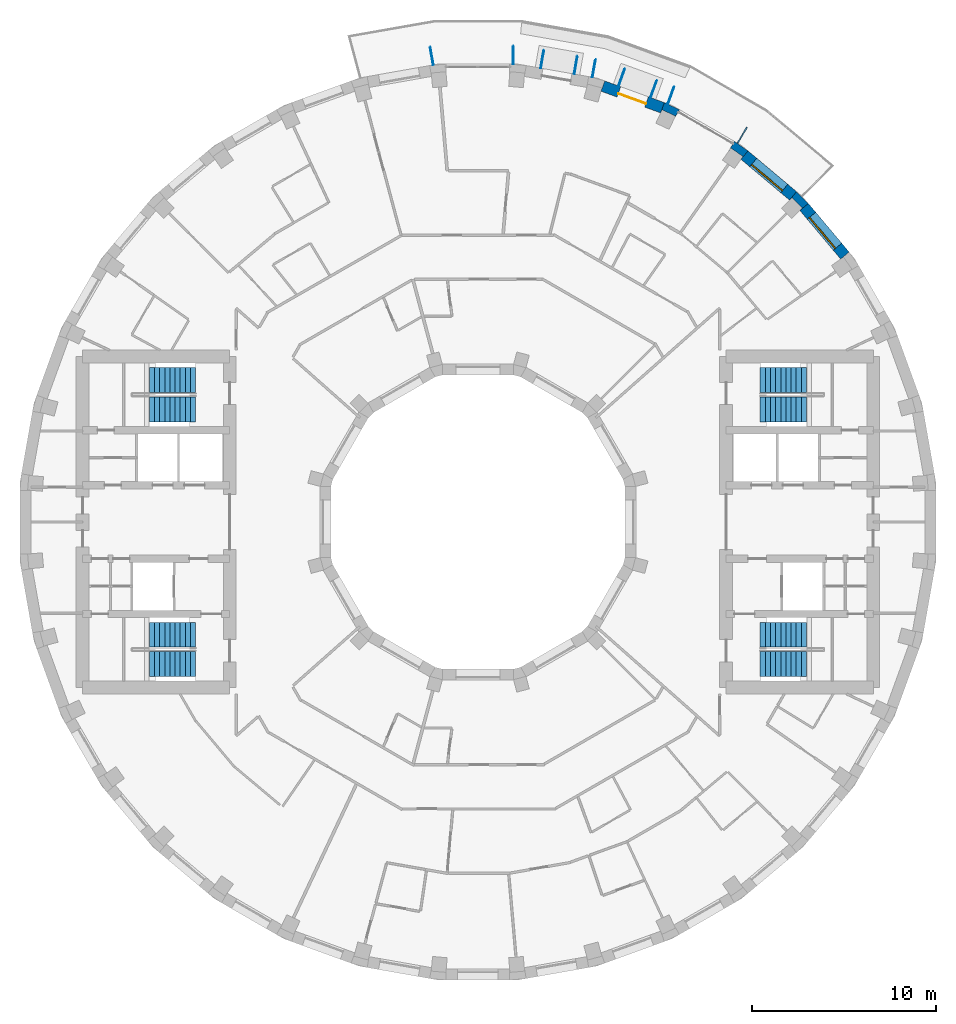
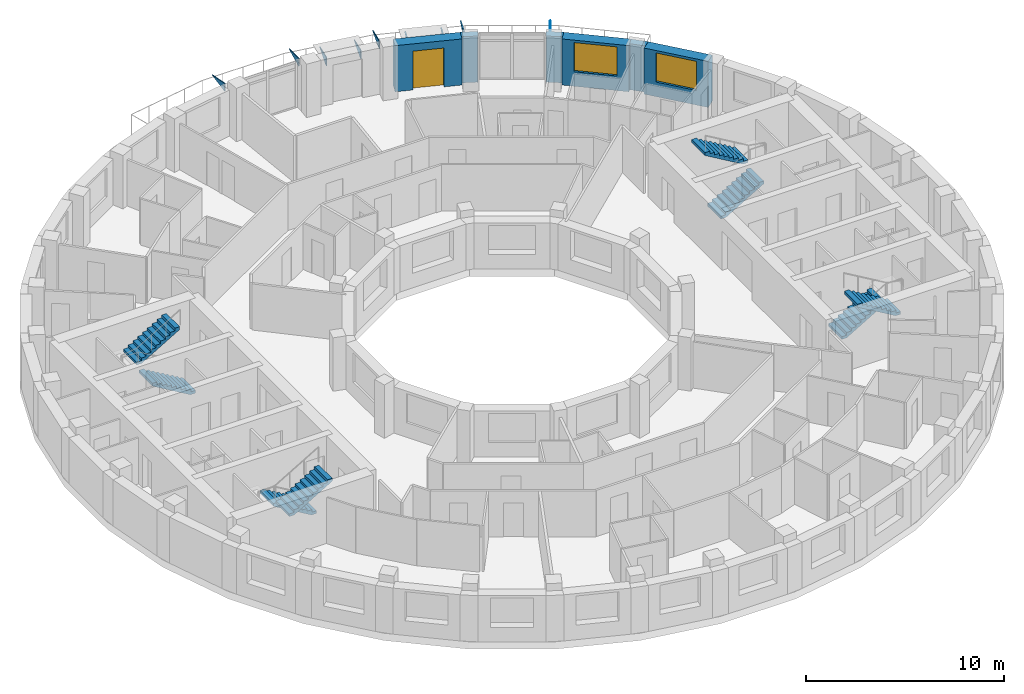
# One storey, part 12 of 13: 9 discrete accessories, 8 stair flights, 6 walls, 2 windows, 1 door, 3 openings, 4 elements without a shape of their own.
"""IFC4 building model written with IfcOpenShell, lengths in metres."""

from ifc_helpers import new_model, si_unit, direction, frame, frame_2d, origin, place, context, subcontext, project, spatial, polyline, rectangle, outline, extrude, material, layer, layer_set, type_object, element, fill, aggregate, save


model = new_model("IFC4")

# Units and contexts
model_context = context("Model", 3, precision=1e-05, world=origin(), true_north=direction((0.0, 1.0)))
body_context = subcontext(model_context, "Body", "Model", "MODEL_VIEW")
ifc_project = project(units=[si_unit("LENGTHUNIT", "METRE"), si_unit("AREAUNIT", "SQUARE_METRE"), si_unit("VOLUMEUNIT", "CUBIC_METRE"), si_unit("PLANEANGLEUNIT", "RADIAN"), si_unit("MASSUNIT", "GRAM", prefix="KILO")], contexts=[model_context])

# Site, building, storey
site_placement = place(None, origin())
site = spatial("IfcSite", under=ifc_project, at=site_placement, CompositionType="ELEMENT")
building_placement = place(site_placement, origin())
building = spatial("IfcBuilding", under=site, at=building_placement, Name="Saqina Gate Tower", CompositionType="ELEMENT")
storey_placement = place(building_placement, frame((0.0, 0.0, 200.39990234375)))
storey = spatial("IfcBuildingStorey", under=building, at=storey_placement, Name="L57", CompositionType="ELEMENT", Elevation=200.39990234375)

# Walls
ifc_material_1 = material(Name="Brick masonry (buff)", Category="masonry")
wall_type_1 = type_object("IfcWallType", Name="BRICK PIER COPING BUFF", PredefinedType="SOLIDWALL", material=ifc_material_1)
wall_1_placement = place(storey_placement, origin())
element("IfcWall", 1, at=wall_1_placement, inside=storey, type_object=wall_type_1, Name="Pier cap L57 column 5", PredefinedType="SOLIDWALL", context=body_context, shape_type="SweptSolid", body=[
    extrude(outline(polyline([(17.329833984375, 17.969482421875), (16.944091796875, 17.510009765625), (17.07666015625, 17.642333984375), (17.642333984375, 17.07666015625), (17.510009765625, 16.944091796875), (17.969482421875, 17.329833984375), (17.329833984375, 17.969482421875)])), origin(), (0.0, 0.0, 1.0), 2.85009765625),
])
wall_2_placement = place(storey_placement, origin())
element("IfcWall", 2, at=wall_2_placement, inside=storey, type_object=wall_type_1, Name="Pier cap L57 column 6", PredefinedType="SOLIDWALL", context=body_context, shape_type="SweptSolid", body=[
    extrude(outline(polyline([(14.687255859375, 20.18701171875), (13.9462890625, 20.705810546875), (13.646240234375, 20.186279296875), (13.753662109375, 20.339599609375), (14.408935546875, 19.880859375), (14.301513671875, 19.727294921875), (14.687255859375, 20.18701171875)])), origin(), (0.0, 0.0, 1.0), 2.85009765625),
])
wall_3_placement = place(storey_placement, origin())
element("IfcWall", 3, at=wall_3_placement, inside=storey, type_object=wall_type_1, Name="Pier cap L57 column 7", PredefinedType="SOLIDWALL", context=body_context, shape_type="SweptSolid", body=[
    extrude(outline(polyline([(10.138916015625, 22.81298828125), (9.93359375, 22.249267578125), (10.0126953125, 22.4189453125), (10.73779296875, 22.080810546875), (10.65869140625, 21.9111328125), (10.958740234375, 22.4306640625), (10.138916015625, 22.81298828125)])), origin(), (0.0, 0.0, 1.0), 2.85009765625),
])

# Wall, opening, window
ifc_material_2 = material(Name="Brick masonry (buff)", Category="masonry")
ifc_layer_1 = layer(ifc_material_2, 0.60009765625)
ifc_layer_set_1 = layer_set([ifc_layer_1], Name="FW-BRICK-BUFF")
wall_type_2 = type_object("IfcWallType", Name="FW-BRICK-BUFF", PredefinedType="SOLIDWALL", material=ifc_layer_set_1)
wall_4_placement = place(storey_placement, frame((19.95703125, 14.494384765625, 0.0), z_axis=(0.0, 0.0, 1.0), x_axis=(-0.642770398358, 0.766058884809, 0.0)))
wall_4 = element("IfcWall", 4, at=wall_4_placement, inside=storey, type_object=wall_type_2, Name="Facade wall L57 facet 4", PredefinedType="SOLIDWALL", context=body_context, shape_type="SweptSolid", body=[
    extrude(rectangle(XDim=3.449462890625, YDim=0.60009765625, at=frame_2d((1.724609375, 0.0))), origin(), (0.0, 0.0, 1.0), 2.85009765625),
])
opening_1_placement = place(wall_4_placement, frame((0.625, 0.0, 0.89990234375)))
opening_1 = element("IfcOpeningElement", 5, at=opening_1_placement, cuts=wall_4, Name="Opening G17-W02", PredefinedType="OPENING", context=body_context, shape_type="SweptSolid", body=[
    extrude(rectangle(XDim=2.199951171875, YDim=1.800048828125, at=frame_2d((1.10009765625, 0.89990234375))), frame((0.0, 0.31201171875, 0.0), z_axis=(0.0, -1.0, 0.0), x_axis=(1.0, 0.0, 0.0)), (0.0, 0.0, 1.0), 0.6240234375),
])
ifc_material_3 = material(Name="Aluminium glazing", Category="aluminium")
window_type = type_object("IfcWindowType", Name="WN-C", PartitioningType="SINGLE_PANEL", PredefinedType="WINDOW", material=ifc_material_3)
window_1_placement = place(opening_1_placement, origin())
window_1 = element("IfcWindow", 6, at=window_1_placement, inside=storey, type_object=window_type, Name="Window L57 facet 4", OverallHeight=1.800048828125, OverallWidth=2.199951171875, PartitioningType="SINGLE_PANEL", PredefinedType="WINDOW", context=body_context, shape_type="SweptSolid", body=[
    extrude(rectangle(XDim=2.199951171875, YDim=1.800048828125, at=frame_2d((1.10009765625, 0.89990234375))), frame((0.0, 0.179931640625, 0.0), z_axis=(0.0, -1.0, 0.0), x_axis=(1.0, 0.0, 0.0)), (0.0, 0.0, 1.0), 0.06005859375),
])
fill(opening_1, window_1)

wall_5_placement = place(storey_placement, frame((17.136962890625, 17.73974609375, 0.0), z_axis=(0.0, 0.0, 1.0), x_axis=(-0.766058884809, 0.642770398358, 0.0)))
wall_5 = element("IfcWall", 7, at=wall_5_placement, inside=storey, type_object=wall_type_2, Name="Facade wall L57 facet 5", PredefinedType="SOLIDWALL", context=body_context, shape_type="SweptSolid", body=[
    extrude(rectangle(XDim=3.449462890625, YDim=0.60009765625, at=frame_2d((1.724609375, 0.0))), origin(), (0.0, 0.0, 1.0), 2.85009765625),
])
opening_2_placement = place(wall_5_placement, frame((0.625, 0.0, 0.89990234375)))
opening_2 = element("IfcOpeningElement", 8, at=opening_2_placement, cuts=wall_5, Name="Opening G17-W03", PredefinedType="OPENING", context=body_context, shape_type="SweptSolid", body=[
    extrude(rectangle(XDim=2.199951171875, YDim=1.800048828125, at=frame_2d((1.10009765625, 0.89990234375))), frame((0.0, 0.31201171875, 0.0), z_axis=(0.0, -1.0, 0.0), x_axis=(1.0, 0.0, 0.0)), (0.0, 0.0, 1.0), 0.6240234375),
])
window_2_placement = place(opening_2_placement, origin())
window_2 = element("IfcWindow", 9, at=window_2_placement, inside=storey, type_object=window_type, Name="Window L57 facet 5", OverallHeight=1.800048828125, OverallWidth=2.199951171875, PartitioningType="SINGLE_PANEL", PredefinedType="WINDOW", context=body_context, shape_type="SweptSolid", body=[
    extrude(rectangle(XDim=2.199951171875, YDim=1.800048828125, at=frame_2d((1.10009765625, 0.89990234375))), frame((0.0, 0.179931640625, 0.0), z_axis=(0.0, -1.0, 0.0), x_axis=(1.0, 0.0, 0.0)), (0.0, 0.0, 1.0), 0.06005859375),
])
fill(opening_2, window_2)

# Wall, opening, door
wall_6_placement = place(storey_placement, frame((10.0361328125, 22.531005859375, 0.0), z_axis=(0.0, 0.0, 1.0), x_axis=(-0.93968799822, 0.342032843455, 0.0)))
wall_6 = element("IfcWall", 10, at=wall_6_placement, inside=storey, type_object=wall_type_2, Name="Facade wall L57 facet 7", PredefinedType="SOLIDWALL", context=body_context, shape_type="SweptSolid", body=[
    extrude(rectangle(XDim=3.44970703125, YDim=0.60009765625, at=frame_2d((1.724853515625, 0.0))), origin(), (0.0, 0.0, 1.0), 2.85009765625),
])
opening_3_placement = place(wall_6_placement, frame((0.9248046875, 0.0, 0.0)))
opening_3 = element("IfcOpeningElement", 11, at=opening_3_placement, cuts=wall_6, Name="Opening G17-D80", PredefinedType="OPENING", context=body_context, shape_type="SweptSolid", body=[
    extrude(rectangle(XDim=1.60009765625, YDim=2.39990234375, at=frame_2d((0.800048828125, 1.199951171875))), frame((0.0, 0.31201171875, 0.0), z_axis=(0.0, -1.0, 0.0), x_axis=(1.0, 0.0, 0.0)), (0.0, 0.0, 1.0), 0.6240234375),
])
ifc_material_4 = material(Name="Aluminium glazing", Category="aluminium")
door_type = type_object("IfcDoorType", Name="GD-C", OperationType="DOUBLE_DOOR_SINGLE_SWING", PredefinedType="DOOR", material=ifc_material_4)
door_placement = place(opening_3_placement, origin())
door = element("IfcDoor", 12, at=door_placement, inside=storey, type_object=door_type, Name="Terrace door L57 facet 7", OperationType="DOUBLE_DOOR_SINGLE_SWING", OverallHeight=2.39990234375, OverallWidth=1.60009765625, PredefinedType="DOOR", context=body_context, shape_type="SweptSolid", body=[
    extrude(rectangle(XDim=1.60009765625, YDim=2.39990234375, at=frame_2d((0.800048828125, 1.199951171875))), frame((0.0, 0.125, 0.0), z_axis=(0.0, -1.0, 0.0), x_axis=(1.0, 0.0, 0.0)), (0.0, 0.0, 1.0), 0.050048828125),
])
fill(opening_3, door)

# Stair, stair flights
ifc_material_5 = material(Name="Concrete C40/50", Category="concrete")
stair_type = type_object("IfcStairType", Name="EXIT STAIR", PredefinedType="HALF_TURN_STAIR", material=ifc_material_5)
stair_1_placement = place(storey_placement, origin())
stair_1 = element("IfcStair", 13, at=stair_1_placement, inside=storey, type_object=stair_type, Name="EXIT STAIR 1", PredefinedType="HALF_TURN_STAIR")
ifc_material_6 = material(Name="Concrete C40/50", Category="concrete")
stair_flight_type = type_object("IfcStairFlightType", Name="EXIT STAIR FLIGHT", PredefinedType="STRAIGHT", material=ifc_material_6)
stair_flight_1_placement = place(storey_placement, frame((15.35009765625, 6.125, 0.0), z_axis=(0.0, 0.0, 1.0), x_axis=(1.0, 0.0, 0.0)))
stair_flight_1 = element("IfcStairFlight", 14, at=stair_flight_1_placement, type_object=stair_flight_type, Name="EXIT STAIR 1 FLIGHT 1", NumberOfRisers=10, NumberOfTreads=9, PredefinedType="STRAIGHT", RiserHeight=0.165, TreadLength=0.28, context=body_context, shape_type="SweptSolid", body=[
    extrude(outline(polyline([(0.0, 0.0), (0.0, 0.1650390625), (0.280029296875, 0.1650390625), (0.280029296875, 0.330078125), (0.56005859375, 0.330078125), (0.56005859375, 0.4951171875), (0.840087890625, 0.4951171875), (0.840087890625, 0.659912109375), (1.1201171875, 0.659912109375), (1.1201171875, 0.824951171875), (1.39990234375, 0.824951171875), (1.39990234375, 0.989990234375), (1.679931640625, 0.989990234375), (1.679931640625, 1.155029296875), (1.9599609375, 1.155029296875), (1.9599609375, 1.320068359375), (2.239990234375, 1.320068359375), (2.239990234375, 1.485107421875), (2.52001953125, 1.485107421875), (2.52001953125, 1.64990234375), (2.52001953125, 1.31103515625), (0.295166015625, 0.0), (0.0, 0.0)])), frame((0.0, 0.675048828125, 0.0), z_axis=(0.0, -1.0, 0.0), x_axis=(1.0, 0.0, 0.0)), (0.0, 0.0, 1.0), 1.35009765625),
])
stair_flight_2_placement = place(storey_placement, frame((17.8701171875, 7.72509765625, 1.650146484375), z_axis=(0.0, 0.0, 1.0), x_axis=(-1.0, 0.0, 0.0)))
stair_flight_2 = element("IfcStairFlight", 15, at=stair_flight_2_placement, type_object=stair_flight_type, Name="EXIT STAIR 1 FLIGHT 2", NumberOfRisers=10, NumberOfTreads=9, PredefinedType="STRAIGHT", RiserHeight=0.165, TreadLength=0.28, context=body_context, shape_type="SweptSolid", body=[
    extrude(outline(polyline([(0.0, 0.0), (0.0, 0.1650390625), (0.280029296875, 0.1650390625), (0.280029296875, 0.330078125), (0.56005859375, 0.330078125), (0.56005859375, 0.4951171875), (0.840087890625, 0.4951171875), (0.840087890625, 0.659912109375), (1.1201171875, 0.659912109375), (1.1201171875, 0.824951171875), (1.39990234375, 0.824951171875), (1.39990234375, 0.989990234375), (1.679931640625, 0.989990234375), (1.679931640625, 1.155029296875), (1.9599609375, 1.155029296875), (1.9599609375, 1.320068359375), (2.239990234375, 1.320068359375), (2.239990234375, 1.485107421875), (2.52001953125, 1.485107421875), (2.52001953125, 1.64990234375), (2.52001953125, 1.31103515625), (0.295166015625, 0.0), (0.0, 0.0)])), frame((0.0, 0.675048828125, 0.0), z_axis=(0.0, -1.0, 0.0), x_axis=(1.0, 0.0, 0.0)), (0.0, 0.0, 1.0), 1.35009765625),
])
aggregate(stair_1, [stair_flight_1, stair_flight_2])

stair_2_placement = place(storey_placement, origin())
stair_2 = element("IfcStair", 16, at=stair_2_placement, inside=storey, type_object=stair_type, Name="EXIT STAIR 2", PredefinedType="HALF_TURN_STAIR")
stair_flight_3_placement = place(storey_placement, frame((15.35009765625, -6.125, 0.0), z_axis=(0.0, 0.0, 1.0), x_axis=(1.0, 0.0, 0.0)))
stair_flight_3 = element("IfcStairFlight", 17, at=stair_flight_3_placement, type_object=stair_flight_type, Name="EXIT STAIR 2 FLIGHT 1", NumberOfRisers=10, NumberOfTreads=9, PredefinedType="STRAIGHT", RiserHeight=0.165, TreadLength=0.28, context=body_context, shape_type="SweptSolid", body=[
    extrude(outline(polyline([(0.0, 0.0), (0.0, 0.1650390625), (0.280029296875, 0.1650390625), (0.280029296875, 0.330078125), (0.56005859375, 0.330078125), (0.56005859375, 0.4951171875), (0.840087890625, 0.4951171875), (0.840087890625, 0.659912109375), (1.1201171875, 0.659912109375), (1.1201171875, 0.824951171875), (1.39990234375, 0.824951171875), (1.39990234375, 0.989990234375), (1.679931640625, 0.989990234375), (1.679931640625, 1.155029296875), (1.9599609375, 1.155029296875), (1.9599609375, 1.320068359375), (2.239990234375, 1.320068359375), (2.239990234375, 1.485107421875), (2.52001953125, 1.485107421875), (2.52001953125, 1.64990234375), (2.52001953125, 1.31103515625), (0.295166015625, 0.0), (0.0, 0.0)])), frame((0.0, 0.675048828125, 0.0), z_axis=(0.0, -1.0, 0.0), x_axis=(1.0, 0.0, 0.0)), (0.0, 0.0, 1.0), 1.35009765625),
])
stair_flight_4_placement = place(storey_placement, frame((17.8701171875, -7.72509765625, 1.650146484375), z_axis=(0.0, 0.0, 1.0), x_axis=(-1.0, 0.0, 0.0)))
stair_flight_4 = element("IfcStairFlight", 18, at=stair_flight_4_placement, type_object=stair_flight_type, Name="EXIT STAIR 2 FLIGHT 2", NumberOfRisers=10, NumberOfTreads=9, PredefinedType="STRAIGHT", RiserHeight=0.165, TreadLength=0.28, context=body_context, shape_type="SweptSolid", body=[
    extrude(outline(polyline([(0.0, 0.0), (0.0, 0.1650390625), (0.280029296875, 0.1650390625), (0.280029296875, 0.330078125), (0.56005859375, 0.330078125), (0.56005859375, 0.4951171875), (0.840087890625, 0.4951171875), (0.840087890625, 0.659912109375), (1.1201171875, 0.659912109375), (1.1201171875, 0.824951171875), (1.39990234375, 0.824951171875), (1.39990234375, 0.989990234375), (1.679931640625, 0.989990234375), (1.679931640625, 1.155029296875), (1.9599609375, 1.155029296875), (1.9599609375, 1.320068359375), (2.239990234375, 1.320068359375), (2.239990234375, 1.485107421875), (2.52001953125, 1.485107421875), (2.52001953125, 1.64990234375), (2.52001953125, 1.31103515625), (0.295166015625, 0.0), (0.0, 0.0)])), frame((0.0, 0.675048828125, 0.0), z_axis=(0.0, -1.0, 0.0), x_axis=(1.0, 0.0, 0.0)), (0.0, 0.0, 1.0), 1.35009765625),
])
aggregate(stair_2, [stair_flight_3, stair_flight_4])

stair_3_placement = place(storey_placement, origin())
stair_3 = element("IfcStair", 19, at=stair_3_placement, inside=storey, type_object=stair_type, Name="EXIT STAIR 3", PredefinedType="HALF_TURN_STAIR")
stair_flight_5_placement = place(storey_placement, frame((-15.35009765625, 6.125, 0.0), z_axis=(0.0, 0.0, 1.0), x_axis=(-1.0, 0.0, 0.0)))
stair_flight_5 = element("IfcStairFlight", 20, at=stair_flight_5_placement, type_object=stair_flight_type, Name="EXIT STAIR 3 FLIGHT 1", NumberOfRisers=10, NumberOfTreads=9, PredefinedType="STRAIGHT", RiserHeight=0.165, TreadLength=0.28, context=body_context, shape_type="SweptSolid", body=[
    extrude(outline(polyline([(0.0, 0.0), (0.0, 0.1650390625), (0.280029296875, 0.1650390625), (0.280029296875, 0.330078125), (0.56005859375, 0.330078125), (0.56005859375, 0.4951171875), (0.840087890625, 0.4951171875), (0.840087890625, 0.659912109375), (1.1201171875, 0.659912109375), (1.1201171875, 0.824951171875), (1.39990234375, 0.824951171875), (1.39990234375, 0.989990234375), (1.679931640625, 0.989990234375), (1.679931640625, 1.155029296875), (1.9599609375, 1.155029296875), (1.9599609375, 1.320068359375), (2.239990234375, 1.320068359375), (2.239990234375, 1.485107421875), (2.52001953125, 1.485107421875), (2.52001953125, 1.64990234375), (2.52001953125, 1.31103515625), (0.295166015625, 0.0), (0.0, 0.0)])), frame((0.0, 0.675048828125, 0.0), z_axis=(0.0, -1.0, 0.0), x_axis=(1.0, 0.0, 0.0)), (0.0, 0.0, 1.0), 1.35009765625),
])
stair_flight_6_placement = place(storey_placement, frame((-17.8701171875, 7.72509765625, 1.650146484375), z_axis=(0.0, 0.0, 1.0), x_axis=(1.0, 0.0, 0.0)))
stair_flight_6 = element("IfcStairFlight", 21, at=stair_flight_6_placement, type_object=stair_flight_type, Name="EXIT STAIR 3 FLIGHT 2", NumberOfRisers=10, NumberOfTreads=9, PredefinedType="STRAIGHT", RiserHeight=0.165, TreadLength=0.28, context=body_context, shape_type="SweptSolid", body=[
    extrude(outline(polyline([(0.0, 0.0), (0.0, 0.1650390625), (0.280029296875, 0.1650390625), (0.280029296875, 0.330078125), (0.56005859375, 0.330078125), (0.56005859375, 0.4951171875), (0.840087890625, 0.4951171875), (0.840087890625, 0.659912109375), (1.1201171875, 0.659912109375), (1.1201171875, 0.824951171875), (1.39990234375, 0.824951171875), (1.39990234375, 0.989990234375), (1.679931640625, 0.989990234375), (1.679931640625, 1.155029296875), (1.9599609375, 1.155029296875), (1.9599609375, 1.320068359375), (2.239990234375, 1.320068359375), (2.239990234375, 1.485107421875), (2.52001953125, 1.485107421875), (2.52001953125, 1.64990234375), (2.52001953125, 1.31103515625), (0.295166015625, 0.0), (0.0, 0.0)])), frame((0.0, 0.675048828125, 0.0), z_axis=(0.0, -1.0, 0.0), x_axis=(1.0, 0.0, 0.0)), (0.0, 0.0, 1.0), 1.35009765625),
])
aggregate(stair_3, [stair_flight_5, stair_flight_6])

stair_4_placement = place(storey_placement, origin())
stair_4 = element("IfcStair", 22, at=stair_4_placement, inside=storey, type_object=stair_type, Name="EXIT STAIR 4", PredefinedType="HALF_TURN_STAIR")
stair_flight_7_placement = place(storey_placement, frame((-15.35009765625, -6.125, 0.0), z_axis=(0.0, 0.0, 1.0), x_axis=(-1.0, 0.0, 0.0)))
stair_flight_7 = element("IfcStairFlight", 23, at=stair_flight_7_placement, type_object=stair_flight_type, Name="EXIT STAIR 4 FLIGHT 1", NumberOfRisers=10, NumberOfTreads=9, PredefinedType="STRAIGHT", RiserHeight=0.165, TreadLength=0.28, context=body_context, shape_type="SweptSolid", body=[
    extrude(outline(polyline([(0.0, 0.0), (0.0, 0.1650390625), (0.280029296875, 0.1650390625), (0.280029296875, 0.330078125), (0.56005859375, 0.330078125), (0.56005859375, 0.4951171875), (0.840087890625, 0.4951171875), (0.840087890625, 0.659912109375), (1.1201171875, 0.659912109375), (1.1201171875, 0.824951171875), (1.39990234375, 0.824951171875), (1.39990234375, 0.989990234375), (1.679931640625, 0.989990234375), (1.679931640625, 1.155029296875), (1.9599609375, 1.155029296875), (1.9599609375, 1.320068359375), (2.239990234375, 1.320068359375), (2.239990234375, 1.485107421875), (2.52001953125, 1.485107421875), (2.52001953125, 1.64990234375), (2.52001953125, 1.31103515625), (0.295166015625, 0.0), (0.0, 0.0)])), frame((0.0, 0.675048828125, 0.0), z_axis=(0.0, -1.0, 0.0), x_axis=(1.0, 0.0, 0.0)), (0.0, 0.0, 1.0), 1.35009765625),
])
stair_flight_8_placement = place(storey_placement, frame((-17.8701171875, -7.72509765625, 1.650146484375), z_axis=(0.0, 0.0, 1.0), x_axis=(1.0, 0.0, 0.0)))
stair_flight_8 = element("IfcStairFlight", 24, at=stair_flight_8_placement, type_object=stair_flight_type, Name="EXIT STAIR 4 FLIGHT 2", NumberOfRisers=10, NumberOfTreads=9, PredefinedType="STRAIGHT", RiserHeight=0.165, TreadLength=0.28, context=body_context, shape_type="SweptSolid", body=[
    extrude(outline(polyline([(0.0, 0.0), (0.0, 0.1650390625), (0.280029296875, 0.1650390625), (0.280029296875, 0.330078125), (0.56005859375, 0.330078125), (0.56005859375, 0.4951171875), (0.840087890625, 0.4951171875), (0.840087890625, 0.659912109375), (1.1201171875, 0.659912109375), (1.1201171875, 0.824951171875), (1.39990234375, 0.824951171875), (1.39990234375, 0.989990234375), (1.679931640625, 0.989990234375), (1.679931640625, 1.155029296875), (1.9599609375, 1.155029296875), (1.9599609375, 1.320068359375), (2.239990234375, 1.320068359375), (2.239990234375, 1.485107421875), (2.52001953125, 1.485107421875), (2.52001953125, 1.64990234375), (2.52001953125, 1.31103515625), (0.295166015625, 0.0), (0.0, 0.0)])), frame((0.0, 0.675048828125, 0.0), z_axis=(0.0, -1.0, 0.0), x_axis=(1.0, 0.0, 0.0)), (0.0, 0.0, 1.0), 1.35009765625),
])
aggregate(stair_4, [stair_flight_7, stair_flight_8])

# Discrete accessories
ifc_material_7 = material(Name="Galvanised steel", Category="steel")
ifc_layer_2 = layer(ifc_material_7, 0.050048828125)
ifc_layer_set_2 = layer_set([ifc_layer_2], Name="BR-AWNING")
discrete_accessory_type_1 = type_object("IfcDiscreteAccessoryType", Name="BR-AWNING", PredefinedType="BRACKET", material=ifc_layer_set_2)
discrete_accessory_1_placement = place(storey_placement, frame((9.363525390625, 23.09521484375, 1.97509765625), z_axis=(-0.939686455819, 0.342037080957, 0.0), x_axis=(0.0, 0.0, 1.0)))
element("IfcDiscreteAccessory", 25, at=discrete_accessory_1_placement, inside=storey, type_object=discrete_accessory_type_1, Name="Awning bracket L57 facet 7", PredefinedType="BRACKET", context=body_context, shape_type="SweptSolid", body=[
    extrude(outline(polyline([(0.0, 0.0), (0.550048828125, 0.0), (0.550048828125, 1.000011503630275), (0.0, 0.0)])), origin(), (0.0, 0.0, -1.0), 0.050048828125),
])
discrete_accessory_2_placement = place(storey_placement, frame((7.62548828125, 23.727783203125, 1.97509765625), z_axis=(-0.939764905391, 0.341821477669, 0.0), x_axis=(0.0, 0.0, 1.0)))
element("IfcDiscreteAccessory", 26, at=discrete_accessory_2_placement, inside=storey, type_object=discrete_accessory_type_1, Name="Awning bracket L57 facet 7", PredefinedType="BRACKET", context=body_context, shape_type="SweptSolid", body=[
    extrude(outline(polyline([(0.0, 0.0), (0.550048828125, 0.0), (0.550048828125, 0.9999280248012192), (0.0, 0.0)])), origin(), (0.0, 0.0, -1.0), 0.050048828125),
])
discrete_accessory_3_placement = place(storey_placement, frame((5.2109375, 24.3701171875, 1.97509765625), z_axis=(-0.984820401928, 0.173576426815, 0.0), x_axis=(0.0, 0.0, 1.0)))
element("IfcDiscreteAccessory", 27, at=discrete_accessory_3_placement, inside=storey, type_object=discrete_accessory_type_1, Name="Awning bracket L57 facet 8", PredefinedType="BRACKET", context=body_context, shape_type="SweptSolid", body=[
    extrude(outline(polyline([(0.0, 0.0), (0.550048828125, 0.0), (0.550048828125, 1.000043540245132), (0.0, 0.0)])), origin(), (0.0, 0.0, -1.0), 0.050048828125),
])
discrete_accessory_4_placement = place(storey_placement, frame((3.38916015625, 24.69140625, 1.97509765625), z_axis=(-0.984778643263, 0.173813186416, 0.0), x_axis=(0.0, 0.0, 1.0)))
element("IfcDiscreteAccessory", 28, at=discrete_accessory_4_placement, inside=storey, type_object=discrete_accessory_type_1, Name="Awning bracket L57 facet 8", PredefinedType="BRACKET", context=body_context, shape_type="SweptSolid", body=[
    extrude(outline(polyline([(0.0, 0.0), (0.550048828125, 0.0), (0.550048828125, 1.0000859462043912), (0.0, 0.0)])), origin(), (0.0, 0.0, -1.0), 0.050048828125),
])
ifc_material_8 = material(Name="Galvanised steel", Category="steel")
ifc_layer_3 = layer(ifc_material_8, 0.050048828125)
ifc_layer_set_3 = layer_set([ifc_layer_3], Name="BR-GUSSET")
discrete_accessory_type_2 = type_object("IfcDiscreteAccessoryType", Name="BR-GUSSET", PredefinedType="BRACKET", material=ifc_layer_set_3)
discrete_accessory_5_placement = place(storey_placement, frame((14.101318359375, 20.6162109375, 2.35009765625), z_axis=(-0.866071776036, 0.499919672301, 0.0), x_axis=(0.0, 0.0, 1.0)))
element("IfcDiscreteAccessory", 29, at=discrete_accessory_5_placement, inside=storey, type_object=discrete_accessory_type_2, Name="Terrace slab bracket L58 1", PredefinedType="BRACKET", context=body_context, shape_type="SweptSolid", body=[
    extrude(outline(polyline([(0.0, 0.0), (0.5, 0.0), (0.5, 1.0001606812130883), (0.0, 0.0)])), origin(), (0.0, 0.0, -1.0), 0.050048828125),
])
discrete_accessory_6_placement = place(storey_placement, frame((10.306884765625, 22.751708984375, 2.35009765625), z_axis=(-0.939607969897, 0.34225263024, 0.0), x_axis=(0.0, 0.0, 1.0)))
element("IfcDiscreteAccessory", 30, at=discrete_accessory_6_placement, inside=storey, type_object=discrete_accessory_type_2, Name="Terrace slab bracket L58 2", PredefinedType="BRACKET", context=body_context, shape_type="SweptSolid", body=[
    extrude(outline(polyline([(0.0, 0.0), (0.5, 0.0), (0.5, 1.0000950350902602), (0.0, 0.0)])), origin(), (0.0, 0.0, -1.0), 0.050048828125),
])
discrete_accessory_7_placement = place(storey_placement, frame((6.19970703125, 24.19580078125, 2.35009765625), z_axis=(-0.984820401928, 0.173576426815, 0.0), x_axis=(0.0, 0.0, 1.0)))
element("IfcDiscreteAccessory", 31, at=discrete_accessory_7_placement, inside=storey, type_object=discrete_accessory_type_2, Name="Terrace slab bracket L58 3", PredefinedType="BRACKET", context=body_context, shape_type="SweptSolid", body=[
    extrude(outline(polyline([(0.0, 0.0), (0.5, 0.0), (0.5, 1.000043540245132), (0.0, 0.0)])), origin(), (0.0, 0.0, -1.0), 0.050048828125),
])
discrete_accessory_8_placement = place(storey_placement, frame((1.90380859375, 24.90478515625, 2.35009765625), z_axis=(-1.0, 0.0, 0.0), x_axis=(0.0, 0.0, 1.0)))
element("IfcDiscreteAccessory", 32, at=discrete_accessory_8_placement, inside=storey, type_object=discrete_accessory_type_2, Name="Terrace slab bracket L58 4", PredefinedType="BRACKET", context=body_context, shape_type="SweptSolid", body=[
    extrude(outline(polyline([(0.0, 0.0), (0.5, 0.0), (0.5, 1.0), (0.0, 0.0)])), origin(), (0.0, 0.0, -1.0), 0.050048828125),
])
discrete_accessory_9_placement = place(storey_placement, frame((-2.44970703125, 24.857177734375, 2.35009765625), z_axis=(-0.984813043937, -0.173618168668, 0.0), x_axis=(0.0, 0.0, 1.0)))
element("IfcDiscreteAccessory", 33, at=discrete_accessory_9_placement, inside=storey, type_object=discrete_accessory_type_2, Name="Terrace slab bracket L58 5", PredefinedType="BRACKET", context=body_context, shape_type="SweptSolid", body=[
    extrude(outline(polyline([(0.0, 0.0), (0.5, 0.0), (0.5, 0.9998031064747768), (0.0, 0.0)])), origin(), (0.0, 0.0, -1.0), 0.050048828125),
])

save(model, "model.ifc")
